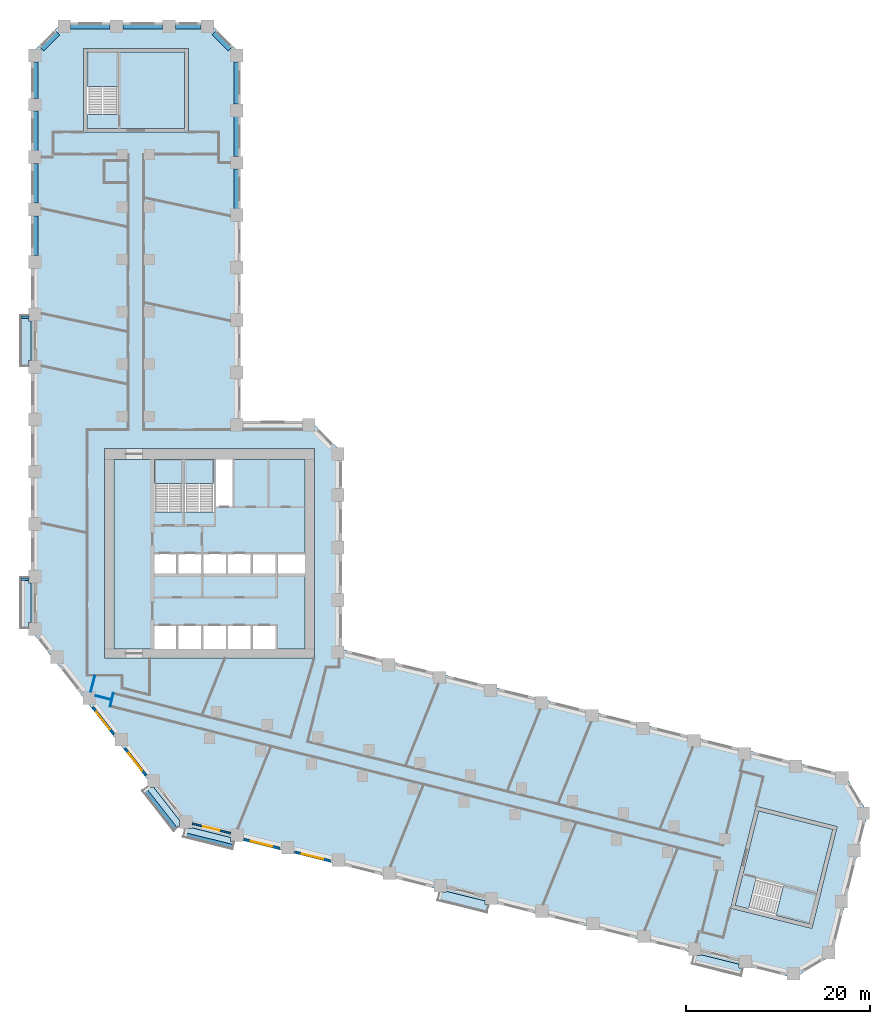
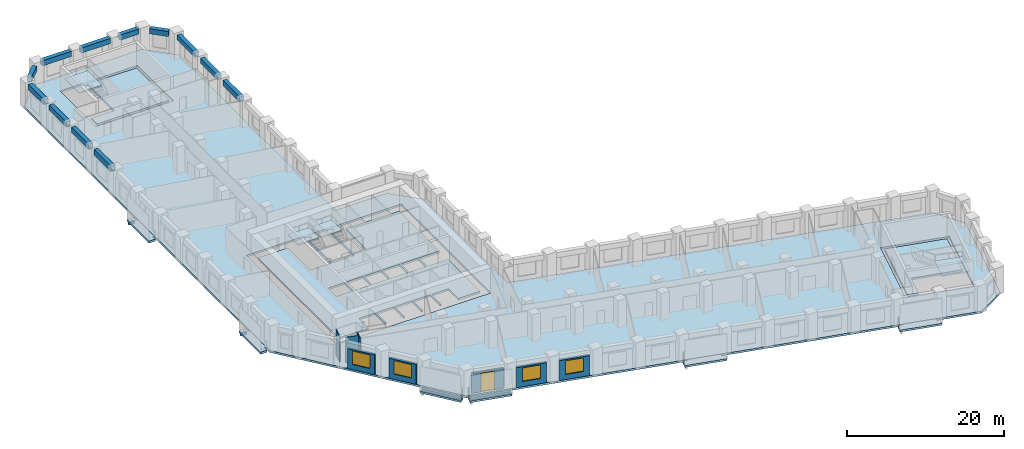
# One storey, part 2 of 11: 14 beams, 14 slabs, 10 walls, 4 windows, 1 door, 5 openings, 4 elements without a shape of their own.
"""IFC4 building model written with IfcOpenShell, lengths in metres."""

from ifc_helpers import new_model, si_unit, direction, frame, frame_2d, origin, origin_2d, place, context, subcontext, project, spatial, polyline, rectangle, outline, extrude, material, layer, layer_set, material_profile, profile_set, type_object, element, fill, aggregate, save


model = new_model("IFC4")

# Units and contexts
model_context = context("Model", 3, precision=1e-05, world=origin(), true_north=direction((0.0, 1.0)))
body_context = subcontext(model_context, "Body", "Model", "MODEL_VIEW")
ifc_project = project(units=[si_unit("LENGTHUNIT", "METRE"), si_unit("AREAUNIT", "SQUARE_METRE"), si_unit("VOLUMEUNIT", "CUBIC_METRE"), si_unit("PLANEANGLEUNIT", "RADIAN"), si_unit("MASSUNIT", "GRAM", prefix="KILO")], contexts=[model_context])

# Site, building, storey
site_placement = place(None, origin())
site = spatial("IfcSite", under=ifc_project, at=site_placement, CompositionType="ELEMENT")
building_placement = place(site_placement, origin())
building = spatial("IfcBuilding", under=site, at=building_placement, Name="Meshkara Civic Tower", CompositionType="ELEMENT")
storey_placement = place(building_placement, frame((0.0, 0.0, 37.199951171875)))
storey = spatial("IfcBuildingStorey", under=building, at=storey_placement, Name="L07", CompositionType="ELEMENT", Elevation=37.199951171875)

# Beams
ifc_material_1 = material(Name="Concrete C50", Category="concrete")
ifc_material_profile_1 = material_profile(ifc_material_1, rectangle(XDim=0.25, YDim=0.39990234375, at=origin_2d()))
ifc_profile_set_1 = profile_set([ifc_material_profile_1], Name="Concrete C50")
beam_type_1 = type_object("IfcBeamType", Name="Balcony bracket beam RC 250x400 C50", PredefinedType="BEAM", material=ifc_profile_set_1)
for number, where, z_axis, x_axis, name in (
    (1, (-0.2451171875, 51.155029296875, -0.5), (-1.0, 0.0, 0.0), (0.0, -1.0, 0.0), "Balcony bracket beam"),
    (2, (-0.2451171875, 22.655029296875, -0.5), (-1.0, 0.0, 0.0), (0.0, -1.0, 0.0), "Balcony bracket beam"),
):
    element("IfcBeam", number, at=place(storey_placement, frame(where, z_axis=z_axis, x_axis=x_axis)), inside=storey, type_object=beam_type_1, Name=name, PredefinedType="BEAM", context=body_context, shape_type="SweptSolid", body=[
        extrude(rectangle(XDim=0.25, YDim=0.39990234375, at=origin_2d()), origin(), (0.0, 0.0, 1.0), 0.85498046875),
    ])
ifc_material_2 = material(Name="Concrete C70", Category="concrete")
ifc_material_profile_2 = material_profile(ifc_material_2, rectangle(XDim=0.60009765625, YDim=0.800048828125, at=origin_2d()))
ifc_profile_set_2 = profile_set([ifc_material_profile_2], Name="Concrete C70")
beam_type_2 = type_object("IfcBeamType", Name="Spandrel beam RC 600x800 C70", PredefinedType="BEAM", material=ifc_profile_set_2)
beam_1_placement = place(storey_placement, frame((22.35009765625, 62.945068359375, 3.5), z_axis=(0.0, 1.0, 0.0), x_axis=(-1.0, 0.0, 0.0)))
element("IfcBeam", 3, at=beam_1_placement, inside=storey, type_object=beam_type_2, Name="Spandrel beam AE04-AE05", PredefinedType="BEAM", context=body_context, shape_type="SweptSolid", body=[
    extrude(rectangle(XDim=0.60009765625, YDim=0.800048828125, at=origin_2d()), origin(), (0.0, 0.0, 1.0), 4.309814453125),
])
beam_2_placement = place(storey_placement, frame((22.35009765625, 68.64501953125, 3.5), z_axis=(0.0, 1.0, 0.0), x_axis=(-1.0, 0.0, 0.0)))
element("IfcBeam", 4, at=beam_2_placement, inside=storey, type_object=beam_type_2, Name="Spandrel beam AE05-AE06", PredefinedType="BEAM", context=body_context, shape_type="SweptSolid", body=[
    extrude(rectangle(XDim=0.60009765625, YDim=0.800048828125, at=origin_2d()), origin(), (0.0, 0.0, 1.0), 4.31005859375),
])
beam_3_placement = place(storey_placement, frame((22.35009765625, 74.344970703125, 3.5), z_axis=(0.0, 1.0, 0.0), x_axis=(-1.0, 0.0, 0.0)))
element("IfcBeam", 5, at=beam_3_placement, inside=storey, type_object=beam_type_2, Name="Spandrel beam AE06-AEE", PredefinedType="BEAM", context=body_context, shape_type="SweptSolid", body=[
    extrude(rectangle(XDim=0.60009765625, YDim=0.800048828125, at=origin_2d()), origin(), (0.0, 0.0, 1.0), 4.573974609375),
])
beam_4_placement = place(storey_placement, frame((21.653564453125, 80.310546875, 3.5), z_axis=(-0.707155737934, 0.70705782105, 0.0), x_axis=(-0.70705782105, -0.707155737934, 0.0)))
element("IfcBeam", 6, at=beam_4_placement, inside=storey, type_object=beam_type_2, Name="Spandrel beam AEE-ATiE", PredefinedType="BEAM", context=body_context, shape_type="SweptSolid", body=[
    extrude(rectangle(XDim=0.60009765625, YDim=0.800048828125, at=origin_2d()), origin(), (0.0, 0.0, 1.0), 2.493408203125),
])
beam_5_placement = place(storey_placement, frame((18.4990234375, 82.77001953125, 3.5), z_axis=(-1.0, 0.0, 0.0), x_axis=(0.0, -1.0, 0.0)))
element("IfcBeam", 7, at=beam_5_placement, inside=storey, type_object=beam_type_2, Name="Spandrel beam AT02-ATiE", PredefinedType="BEAM", context=body_context, shape_type="SweptSolid", body=[
    extrude(rectangle(XDim=0.60009765625, YDim=0.800048828125, at=origin_2d()), origin(), (0.0, 0.0, 1.0), 2.798095703125),
])
for number, where, z_axis, x_axis, name in (
    (8, (14.31103515625, 82.77001953125, 3.5), (-1.0, 0.0, 0.0), (0.0, -1.0, 0.0), "Spandrel beam AT01-AT02"),
    (9, (8.611083984375, 82.77001953125, 3.5), (-1.0, 0.0, 0.0), (0.0, -1.0, 0.0), "Spandrel beam AT00-AT01"),
):
    element("IfcBeam", number, at=place(storey_placement, frame(where, z_axis=z_axis, x_axis=x_axis)), inside=storey, type_object=beam_type_2, Name=name, PredefinedType="BEAM", context=body_context, shape_type="SweptSolid", body=[
        extrude(rectangle(XDim=0.60009765625, YDim=0.800048828125, at=origin_2d()), origin(), (0.0, 0.0, 1.0), 4.31005859375),
    ])
beam_6_placement = place(storey_placement, frame((2.909423828125, 82.073486328125, 3.5), z_axis=(-0.707106781187, -0.707106781187, 0.0), x_axis=(0.707106781187, -0.707106781187, 0.0)))
element("IfcBeam", 10, at=beam_6_placement, inside=storey, type_object=beam_type_2, Name="Spandrel beam AT00-ATo00", PredefinedType="BEAM", context=body_context, shape_type="SweptSolid", body=[
    extrude(rectangle(XDim=0.60009765625, YDim=0.800048828125, at=origin_2d()), origin(), (0.0, 0.0, 1.0), 2.4931640625),
])
beam_7_placement = place(storey_placement, frame((0.449951171875, 78.9189453125, 3.5), z_axis=(0.0, -1.0, 0.0), x_axis=(1.0, 0.0, 0.0)))
element("IfcBeam", 11, at=beam_7_placement, inside=storey, type_object=beam_type_2, Name="Spandrel beam ATo00-AW10", PredefinedType="BEAM", context=body_context, shape_type="SweptSolid", body=[
    extrude(rectangle(XDim=0.60009765625, YDim=0.800048828125, at=origin_2d()), origin(), (0.0, 0.0, 1.0), 3.968994140625),
])
for number, where, z_axis, x_axis, name in (
    (12, (0.449951171875, 73.56005859375, 3.5), (0.0, -1.0, 0.0), (1.0, 0.0, 0.0), "Spandrel beam AW09-AW10"),
    (13, (0.449951171875, 67.860107421875, 3.5), (0.0, -1.0, 0.0), (1.0, 0.0, 0.0), "Spandrel beam AW08-AW09"),
):
    element("IfcBeam", number, at=place(storey_placement, frame(where, z_axis=z_axis, x_axis=x_axis)), inside=storey, type_object=beam_type_2, Name=name, PredefinedType="BEAM", context=body_context, shape_type="SweptSolid", body=[
        extrude(rectangle(XDim=0.60009765625, YDim=0.800048828125, at=origin_2d()), origin(), (0.0, 0.0, 1.0), 4.31005859375),
    ])
beam_8_placement = place(storey_placement, frame((0.449951171875, 62.159912109375, 3.5), z_axis=(0.0, -1.0, 0.0), x_axis=(1.0, 0.0, 0.0)))
element("IfcBeam", 14, at=beam_8_placement, inside=storey, type_object=beam_type_2, Name="Spandrel beam AW07-AW08", PredefinedType="BEAM", context=body_context, shape_type="SweptSolid", body=[
    extrude(rectangle(XDim=0.60009765625, YDim=0.800048828125, at=origin_2d()), origin(), (0.0, 0.0, 1.0), 4.309814453125),
])

# Slabs
ifc_material_3 = material(Name="Concrete C40", Category="concrete")
ifc_layer_1 = layer(ifc_material_3, 0.300048828125)
ifc_layer_set_1 = layer_set([ifc_layer_1], Name="BALCONY SLAB")
slab_type_1 = type_object("IfcSlabType", Name="BALCONY SLAB", PredefinedType="FLOOR", material=ifc_layer_set_1)
slab_1_placement = place(storey_placement, frame((0.0, 0.0, -0.300048828125)))
element("IfcSlab", 15, at=slab_1_placement, inside=storey, type_object=slab_type_1, Name="Balcony slab", PredefinedType="FLOOR", context=body_context, shape_type="SweptSolid", body=[
    extrude(outline(polyline([(-1.199951171875, 45.81494140625), (-1.199951171875, 51.39501953125), (-0.25, 51.39501953125), (-0.25, 50.7548828125), (0.0, 50.7548828125), (0.0, 46.455078125), (-0.25, 46.455078125), (-0.25, 45.81494140625), (-1.199951171875, 45.81494140625)])), origin(), (0.0, 0.0, 1.0), 0.300048828125),
])
slab_2_placement = place(storey_placement, frame((0.0, 0.0, -0.300048828125)))
element("IfcSlab", 16, at=slab_2_placement, inside=storey, type_object=slab_type_1, Name="Balcony slab", PredefinedType="FLOOR", context=body_context, shape_type="SweptSolid", body=[
    extrude(outline(polyline([(-1.199951171875, 17.31494140625), (-1.199951171875, 22.89501953125), (-0.25, 22.89501953125), (-0.25, 22.2548828125), (0.0, 22.2548828125), (0.0, 17.955078125), (-0.25, 17.955078125), (-0.25, 17.31494140625), (-1.199951171875, 17.31494140625)])), origin(), (0.0, 0.0, 1.0), 0.300048828125),
])
slab_3_placement = place(storey_placement, frame((0.0, 0.0, -0.300048828125)))
element("IfcSlab", 17, at=slab_3_placement, inside=storey, type_object=slab_type_1, Name="Balcony slab", PredefinedType="FLOOR", context=body_context, shape_type="SweptSolid", body=[
    extrude(outline(polyline([(15.513916015625, -4.7060546875), (12.0791015625, -0.30908203125), (12.64208984375, 0.131103515625), (12.64208984375, 0.053955078125), (13.318115234375, 0.053955078125), (16.15087890625, -3.572998046875), (16.15087890625, -4.208984375), (15.513916015625, -4.7060546875)])), origin(), (0.0, 0.0, 1.0), 0.300048828125),
])
slab_4_placement = place(storey_placement, frame((0.0, 0.0, -0.300048828125)))
element("IfcSlab", 18, at=slab_4_placement, inside=storey, type_object=slab_type_1, Name="Balcony slab", PredefinedType="FLOOR", context=body_context, shape_type="SweptSolid", body=[
    extrude(outline(polyline([(21.925048828125, -6.702880859375), (16.510009765625, -5.35302734375), (16.738037109375, -4.43798828125), (17.551025390625, -4.43798828125), (17.551025390625, -4.3759765625), (21.681884765625, -5.406005859375), (21.681884765625, -5.81689453125), (22.14599609375, -5.81689453125), (21.925048828125, -6.702880859375)])), origin(), (0.0, 0.0, 1.0), 0.300048828125),
])
slab_5_placement = place(storey_placement, frame((0.0, 0.0, -0.300048828125)))
element("IfcSlab", 19, at=slab_5_placement, inside=storey, type_object=slab_type_1, Name="Balcony slab", PredefinedType="FLOOR", context=body_context, shape_type="SweptSolid", body=[
    extrude(outline(polyline([(49.577880859375, -13.597900390625), (44.1640625, -12.248046875), (44.39208984375, -11.33203125), (45.205078125, -11.33203125), (45.205078125, -11.27099609375), (49.3349609375, -12.301025390625), (49.3349609375, -12.7109375), (49.799072265625, -12.7109375), (49.577880859375, -13.597900390625)])), origin(), (0.0, 0.0, 1.0), 0.300048828125),
])
slab_6_placement = place(storey_placement, frame((0.0, 0.0, -0.300048828125)))
element("IfcSlab", 20, at=slab_6_placement, inside=storey, type_object=slab_type_1, Name="Balcony slab", PredefinedType="FLOOR", context=body_context, shape_type="SweptSolid", body=[
    extrude(outline(polyline([(77.23193359375, -20.492919921875), (71.81689453125, -19.14306640625), (72.044921875, -18.22705078125), (72.85791015625, -18.22705078125), (72.85791015625, -18.1650390625), (76.989013671875, -19.195068359375), (76.989013671875, -19.60595703125), (77.452880859375, -19.60595703125), (77.23193359375, -20.492919921875)])), origin(), (0.0, 0.0, 1.0), 0.300048828125),
])
ifc_material_4 = material(Name="Concrete C40/50", Category="concrete")
ifc_layer_2 = layer(ifc_material_4, 0.300048828125)
ifc_layer_set_2 = layer_set([ifc_layer_2], Name="Core floor slab 300 C40/50")
slab_type_2 = type_object("IfcSlabType", Name="Core floor slab 300 C40/50", PredefinedType="FLOOR", material=ifc_layer_set_2)
slab_7_placement = place(storey_placement, frame((0.0, 0.0, -0.300048828125)))
element("IfcSlab", 21, at=slab_7_placement, inside=storey, type_object=slab_type_2, Name="Core floor K", PredefinedType="FLOOR", context=body_context, shape_type="SweptSolid", body=[
    extrude(outline(polyline([(9.0, 35.699951171875), (13.39990234375, 35.699951171875), (13.39990234375, 30.00146484375), (16.5, 30.00146484375), (16.5, 35.699951171875), (16.699951171875, 35.699951171875), (16.699951171875, 30.00146484375), (19.89990234375, 30.00146484375), (19.89990234375, 35.699951171875), (20.10009765625, 35.699951171875), (20.10009765625, 30.574951171875), (21.925048828125, 30.574951171875), (21.925048828125, 35.699951171875), (29.800048828125, 35.699951171875), (29.800048828125, 25.39990234375), (26.800048828125, 25.39990234375), (26.800048828125, 23.300048828125), (29.800048828125, 23.300048828125), (29.800048828125, 15.10009765625), (26.60009765625, 15.10009765625), (26.60009765625, 17.60009765625), (24.10009765625, 17.60009765625), (24.10009765625, 15.10009765625), (23.89990234375, 15.10009765625), (23.89990234375, 17.60009765625), (21.39990234375, 17.60009765625), (21.39990234375, 15.10009765625), (21.199951171875, 15.10009765625), (21.199951171875, 17.60009765625), (18.699951171875, 17.60009765625), (18.699951171875, 15.10009765625), (18.5, 15.10009765625), (18.5, 17.60009765625), (16.0, 17.60009765625), (16.0, 15.10009765625), (15.800048828125, 15.10009765625), (15.800048828125, 17.60009765625), (13.39990234375, 17.60009765625), (13.39990234375, 15.10009765625), (9.0, 15.10009765625), (9.0, 35.699951171875)]), holes=[polyline([(13.39990234375, 25.39990234375), (13.39990234375, 23.300048828125), (15.800048828125, 23.300048828125), (15.800048828125, 25.39990234375), (13.39990234375, 25.39990234375)]), polyline([(18.5, 23.300048828125), (18.5, 25.39990234375), (16.0, 25.39990234375), (16.0, 23.300048828125), (18.5, 23.300048828125)]), polyline([(18.699951171875, 25.39990234375), (18.699951171875, 23.300048828125), (21.199951171875, 23.300048828125), (21.199951171875, 25.39990234375), (18.699951171875, 25.39990234375)]), polyline([(23.89990234375, 23.300048828125), (23.89990234375, 25.39990234375), (21.39990234375, 25.39990234375), (21.39990234375, 23.300048828125), (23.89990234375, 23.300048828125)]), polyline([(26.60009765625, 23.300048828125), (26.60009765625, 25.39990234375), (24.10009765625, 25.39990234375), (24.10009765625, 23.300048828125), (26.60009765625, 23.300048828125)])]), origin(), (0.0, 0.0, 1.0), 0.300048828125),
])
slab_8_placement = place(storey_placement, frame((0.0, 0.0, -0.300048828125)))
element("IfcSlab", 22, at=slab_8_placement, inside=storey, type_object=slab_type_2, Name="Core floor EA", PredefinedType="FLOOR", context=body_context, shape_type="SweptSolid", body=[
    extrude(outline(polyline([(16.699951171875, 71.669921875), (16.699951171875, 79.969970703125), (9.5, 79.969970703125), (9.5, 73.17138671875), (6.10009765625, 73.17138671875), (6.10009765625, 71.669921875), (16.699951171875, 71.669921875)])), origin(), (0.0, 0.0, 1.0), 0.300048828125),
])
slab_9_placement = place(storey_placement, frame((0.0, 0.0, -0.300048828125)))
element("IfcSlab", 23, at=slab_9_placement, inside=storey, type_object=slab_type_2, Name="Core floor EB", PredefinedType="FLOOR", context=body_context, shape_type="SweptSolid", body=[
    extrude(outline(polyline([(79.11181640625, -2.513671875), (87.165283203125, -4.521484375), (85.423583984375, -11.507568359375), (78.826904296875, -9.863037109375), (78.00439453125, -13.161865234375), (76.547607421875, -12.798583984375), (79.11181640625, -2.513671875)])), origin(), (0.0, 0.0, 1.0), 0.300048828125),
])

# Stair, slab
ifc_material_5 = material(Name="Precast concrete C40/50", Category="concrete")
stair_type_1 = type_object("IfcStairType", Name="Exit stair half-turn 24 risers precast", PredefinedType="HALF_TURN_STAIR", material=ifc_material_5)
stair_1_placement = place(storey_placement, origin())
stair_1 = element("IfcStair", 24, at=stair_1_placement, inside=storey, type_object=stair_type_1, Name="L07 exit stair 1", PredefinedType="HALF_TURN_STAIR")
ifc_material_6 = material(Name="Precast concrete C40/50", Category="concrete")
ifc_layer_3 = layer(ifc_material_6, 0.199951171875)
ifc_layer_set_3 = layer_set([ifc_layer_3], Name="Exit stair landing 200")
slab_type_3 = type_object("IfcSlabType", Name="Exit stair landing 200", PredefinedType="LANDING", material=ifc_layer_set_3)
slab_10_placement = place(storey_placement, frame((0.0, 0.0, 1.900146484375)))
slab_10 = element("IfcSlab", 25, at=slab_10_placement, type_object=slab_type_3, Name="ST1 landing 1", PredefinedType="LANDING", context=body_context, shape_type="SweptSolid", body=[
    extrude(outline(polyline([(16.5, 33.07861328125), (16.5, 35.699951171875), (13.39990234375, 35.699951171875), (13.39990234375, 33.07861328125), (16.5, 33.07861328125)])), origin(), (0.0, 0.0, 1.0), 0.199951171875),
])
aggregate(stair_1, [slab_10])

stair_2_placement = place(storey_placement, origin())
stair_2 = element("IfcStair", 26, at=stair_2_placement, inside=storey, type_object=stair_type_1, Name="L07 exit stair 2", PredefinedType="HALF_TURN_STAIR")
slab_11_placement = place(storey_placement, frame((0.0, 0.0, 1.900146484375)))
slab_11 = element("IfcSlab", 27, at=slab_11_placement, type_object=slab_type_3, Name="ST2 landing 1", PredefinedType="LANDING", context=body_context, shape_type="SweptSolid", body=[
    extrude(outline(polyline([(19.89990234375, 33.07861328125), (19.89990234375, 35.699951171875), (16.699951171875, 35.699951171875), (16.699951171875, 33.07861328125), (19.89990234375, 33.07861328125)])), origin(), (0.0, 0.0, 1.0), 0.199951171875),
])
aggregate(stair_2, [slab_11])

ifc_material_7 = material(Name="Precast concrete C40/50", Category="concrete")
stair_type_2 = type_object("IfcStairType", Name="Exit stair half-turn 24 risers 1500 precast", PredefinedType="HALF_TURN_STAIR", material=ifc_material_7)
stair_3_placement = place(storey_placement, origin())
stair_3 = element("IfcStair", 28, at=stair_3_placement, inside=storey, type_object=stair_type_2, Name="L07 exit stair A from B2", PredefinedType="HALF_TURN_STAIR")
slab_12_placement = place(storey_placement, frame((0.0, 0.0, 1.900146484375)))
slab_12 = element("IfcSlab", 29, at=slab_12_placement, type_object=slab_type_3, Name="ESA1 landing 1", PredefinedType="LANDING", context=body_context, shape_type="SweptSolid", body=[
    extrude(outline(polyline([(9.5, 76.24853515625), (9.5, 79.969970703125), (6.10009765625, 79.969970703125), (6.10009765625, 76.24853515625), (9.5, 76.24853515625)])), origin(), (0.0, 0.0, 1.0), 0.199951171875),
])
aggregate(stair_3, [slab_12])

stair_4_placement = place(storey_placement, origin())
stair_4 = element("IfcStair", 30, at=stair_4_placement, inside=storey, type_object=stair_type_2, Name="L07 exit stair B from B2", PredefinedType="HALF_TURN_STAIR")
slab_13_placement = place(storey_placement, frame((0.0, 0.0, 1.900146484375)))
slab_13 = element("IfcSlab", 31, at=slab_13_placement, type_object=slab_type_3, Name="ESB1 landing 1", PredefinedType="LANDING", context=body_context, shape_type="SweptSolid", body=[
    extrude(outline(polyline([(80.98974609375, -13.9072265625), (84.600830078125, -14.80810546875), (85.424072265625, -11.50830078125), (81.81298828125, -10.607421875), (80.98974609375, -13.9072265625)])), origin(), (0.0, 0.0, 1.0), 0.199951171875),
])
aggregate(stair_4, [slab_13])

# Slab
ifc_material_8 = material(Name="Concrete C50", Category="concrete")
ifc_layer_4 = layer(ifc_material_8, 0.300048828125)
ifc_layer_set_4 = layer_set([ifc_layer_4], Name="Post-tensioned flat slab 300 C50")
slab_type_4 = type_object("IfcSlabType", Name="Post-tensioned flat slab 300 C50", PredefinedType="FLOOR", material=ifc_layer_set_4)
slab_14_placement = place(storey_placement, frame((0.0, 0.0, -0.300048828125)))
element("IfcSlab", 32, at=slab_14_placement, inside=storey, type_object=slab_type_4, Name="Post-tensioned flat slab L07", PredefinedType="FLOOR", context=body_context, shape_type="SweptSolid", body=[
    extrude(outline(polyline([(87.10595703125, -18.193115234375), (82.9599609375, -20.68408203125), (16.592041015625, -4.136962890625), (0.0, 17.10009765625), (0.0, 79.800048828125), (3.419921875, 83.219970703125), (19.3798828125, 83.219970703125), (22.800048828125, 79.800048828125), (22.800048828125, 39.89990234375), (30.3798828125, 39.89990234375), (33.800048828125, 36.47998046875), (33.800048828125, 15.071044921875), (88.47607421875, 1.43798828125), (90.967041015625, -2.70703125), (87.10595703125, -18.193115234375)]), holes=[polyline([(84.89208984375, -15.2919921875), (87.64990234375, -4.22998046875), (78.821044921875, -2.029052734375), (76.06298828125, -13.090087890625), (84.89208984375, -15.2919921875)]), polyline([(8.0, 14.10009765625), (30.800048828125, 14.10009765625), (30.800048828125, 36.89990234375), (8.0, 36.89990234375), (8.0, 14.10009765625)]), polyline([(5.699951171875, 80.3701171875), (5.699951171875, 71.27001953125), (17.10009765625, 71.27001953125), (17.10009765625, 80.3701171875), (5.699951171875, 80.3701171875)])]), origin(), (0.0, 0.0, 1.0), 0.300048828125),
])

# Wall
ifc_material_9 = material(Name="Corridor wall 100")
ifc_layer_5 = layer(ifc_material_9, 0.10009765625)
ifc_layer_set_5 = layer_set([ifc_layer_5], Name="Corridor wall 100")
wall_type_1 = type_object("IfcWallType", Name="Corridor wall 100", PredefinedType="PARTITIONING", material=ifc_layer_set_5)
wall_1_placement = place(storey_placement, frame((8.944091796875, 10.263916015625, 0.0), z_axis=(0.0, 0.0, 1.0), x_axis=(-0.242297077633, -0.970202105837, 0.0)))
element("IfcWall", 33, at=wall_1_placement, inside=storey, type_object=wall_type_1, Name="L07-W008", PredefinedType="PARTITIONING", context=body_context, shape_type="SweptSolid", body=[
    extrude(rectangle(XDim=1.44482421875, YDim=0.10009765625, at=frame_2d((0.722412109375, 0.0))), origin(), (0.0, 0.0, 1.0), 3.900146484375),
])

# Wall, opening, window
ifc_material_10 = material(Name="Insulated infill panel with bronze anodised aluminium cladding", Category="aluminium")
ifc_layer_6 = layer(ifc_material_10, 0.300048828125)
ifc_layer_set_6 = layer_set([ifc_layer_6], Name="EXTERNAL INFILL WALL 300")
wall_type_2 = type_object("IfcWallType", Name="EXTERNAL INFILL WALL 300", PredefinedType="SOLIDWALL", material=ifc_layer_set_6)
wall_2_placement = place(storey_placement, frame((6.69189453125, 8.778076171875, 0.0), z_axis=(0.0, 0.0, 1.0), x_axis=(0.615767067156, -0.787928244833, 0.0)))
wall_2 = element("IfcWall", 34, at=wall_2_placement, inside=storey, type_object=wall_type_2, Name="External wall", PredefinedType="SOLIDWALL", context=body_context, shape_type="SweptSolid", body=[
    extrude(rectangle(XDim=3.7353515625, YDim=0.300048828125, at=frame_2d((1.86767578125, 0.0))), origin(), (0.0, 0.0, 1.0), 3.10009765625),
])
opening_1_placement = place(wall_2_placement, frame((0.66796875, 0.0, 0.800048828125)))
opening_1 = element("IfcOpeningElement", 35, at=opening_1_placement, cuts=wall_2, Name="Opening W7", PredefinedType="OPENING", context=body_context, shape_type="SweptSolid", body=[
    extrude(rectangle(XDim=2.39990234375, YDim=2.10009765625, at=frame_2d((1.199951171875, 1.050048828125))), frame((0.0, 0.159912109375, 0.0), z_axis=(0.0, -1.0, 0.0), x_axis=(1.0, 0.0, 0.0)), (0.0, 0.0, 1.0), 0.320068359375),
])
ifc_material_11 = material(Name="Tinted double glazing", Category="glass")
window_type = type_object("IfcWindowType", Name="WINDOW 2400x2100", PartitioningType="DOUBLE_PANEL_VERTICAL", PredefinedType="WINDOW", material=ifc_material_11)
window_1_placement = place(opening_1_placement, origin())
window_1 = element("IfcWindow", 36, at=window_1_placement, inside=storey, type_object=window_type, Name="Window", OverallHeight=2.10009765625, OverallWidth=2.39990234375, PartitioningType="DOUBLE_PANEL_VERTICAL", PredefinedType="WINDOW", context=body_context, shape_type="SweptSolid", body=[
    extrude(rectangle(XDim=2.39990234375, YDim=2.10009765625, at=frame_2d((1.199951171875, 1.050048828125))), frame((0.0, 0.030029296875, 0.0), z_axis=(0.0, -1.0, 0.0), x_axis=(1.0, 0.0, 0.0)), (0.0, 0.0, 1.0), 0.06005859375),
])
fill(opening_1, window_1)

wall_3_placement = place(storey_placement, frame((10.201904296875, 4.285888671875, 0.0), z_axis=(0.0, 0.0, 1.0), x_axis=(0.615636430057, -0.788030320474, 0.0)))
wall_3 = element("IfcWall", 37, at=wall_3_placement, inside=storey, type_object=wall_type_2, Name="External wall", PredefinedType="SOLIDWALL", context=body_context, shape_type="SweptSolid", body=[
    extrude(rectangle(XDim=3.734375, YDim=0.300048828125, at=frame_2d((1.8671875, 0.0))), origin(), (0.0, 0.0, 1.0), 3.10009765625),
])
opening_2_placement = place(wall_3_placement, frame((0.6669921875, 0.0, 0.800048828125)))
opening_2 = element("IfcOpeningElement", 38, at=opening_2_placement, cuts=wall_3, Name="Opening W7", PredefinedType="OPENING", context=body_context, shape_type="SweptSolid", body=[
    extrude(rectangle(XDim=2.39990234375, YDim=2.10009765625, at=frame_2d((1.199951171875, 1.050048828125))), frame((0.0, 0.159912109375, 0.0), z_axis=(0.0, -1.0, 0.0), x_axis=(1.0, 0.0, 0.0)), (0.0, 0.0, 1.0), 0.320068359375),
])
window_2_placement = place(opening_2_placement, origin())
window_2 = element("IfcWindow", 39, at=window_2_placement, inside=storey, type_object=window_type, Name="Window", OverallHeight=2.10009765625, OverallWidth=2.39990234375, PartitioningType="DOUBLE_PANEL_VERTICAL", PredefinedType="WINDOW", context=body_context, shape_type="SweptSolid", body=[
    extrude(rectangle(XDim=2.39990234375, YDim=2.10009765625, at=frame_2d((1.199951171875, 1.050048828125))), frame((0.0, 0.030029296875, 0.0), z_axis=(0.0, -1.0, 0.0), x_axis=(1.0, 0.0, 0.0)), (0.0, 0.0, 1.0), 0.06005859375),
])
fill(opening_2, window_2)

wall_4_placement = place(storey_placement, frame((23.133056640625, -5.613037109375, 0.0), z_axis=(0.0, 0.0, 1.0), x_axis=(0.970303772127, -0.241889623168, 0.0)))
wall_4 = element("IfcWall", 40, at=wall_4_placement, inside=storey, type_object=wall_type_2, Name="External wall", PredefinedType="SOLIDWALL", context=body_context, shape_type="SweptSolid", body=[
    extrude(rectangle(XDim=4.001953125, YDim=0.300048828125, at=frame_2d((2.0009765625, 0.0))), origin(), (0.0, 0.0, 1.0), 3.10009765625),
])
opening_3_placement = place(wall_4_placement, frame((0.801025390625, 0.0, 0.800048828125)))
opening_3 = element("IfcOpeningElement", 41, at=opening_3_placement, cuts=wall_4, Name="Opening W7", PredefinedType="OPENING", context=body_context, shape_type="SweptSolid", body=[
    extrude(rectangle(XDim=2.39990234375, YDim=2.10009765625, at=frame_2d((1.199951171875, 1.050048828125))), frame((0.0, 0.159912109375, 0.0), z_axis=(0.0, -1.0, 0.0), x_axis=(1.0, 0.0, 0.0)), (0.0, 0.0, 1.0), 0.320068359375),
])
window_3_placement = place(opening_3_placement, origin())
window_3 = element("IfcWindow", 42, at=window_3_placement, inside=storey, type_object=window_type, Name="Window", OverallHeight=2.10009765625, OverallWidth=2.39990234375, PartitioningType="DOUBLE_PANEL_VERTICAL", PredefinedType="WINDOW", context=body_context, shape_type="SweptSolid", body=[
    extrude(rectangle(XDim=2.39990234375, YDim=2.10009765625, at=frame_2d((1.199951171875, 1.050048828125))), frame((0.0, 0.030029296875, 0.0), z_axis=(0.0, -1.0, 0.0), x_axis=(1.0, 0.0, 0.0)), (0.0, 0.0, 1.0), 0.06005859375),
])
fill(opening_3, window_3)

wall_5_placement = place(storey_placement, frame((28.6630859375, -6.991943359375, 0.0), z_axis=(0.0, 0.0, 1.0), x_axis=(0.970318045095, -0.24183236211, 0.0)))
wall_5 = element("IfcWall", 43, at=wall_5_placement, inside=storey, type_object=wall_type_2, Name="External wall", PredefinedType="SOLIDWALL", context=body_context, shape_type="SweptSolid", body=[
    extrude(rectangle(XDim=4.0029296875, YDim=0.300048828125, at=frame_2d((2.00146484375, 0.0))), origin(), (0.0, 0.0, 1.0), 3.10009765625),
])
opening_4_placement = place(wall_5_placement, frame((0.802001953125, 0.0, 0.800048828125)))
opening_4 = element("IfcOpeningElement", 44, at=opening_4_placement, cuts=wall_5, Name="Opening W7", PredefinedType="OPENING", context=body_context, shape_type="SweptSolid", body=[
    extrude(rectangle(XDim=2.39990234375, YDim=2.10009765625, at=frame_2d((1.199951171875, 1.050048828125))), frame((0.0, 0.159912109375, 0.0), z_axis=(0.0, -1.0, 0.0), x_axis=(1.0, 0.0, 0.0)), (0.0, 0.0, 1.0), 0.320068359375),
])
window_4_placement = place(opening_4_placement, origin())
window_4 = element("IfcWindow", 45, at=window_4_placement, inside=storey, type_object=window_type, Name="Window", OverallHeight=2.10009765625, OverallWidth=2.39990234375, PartitioningType="DOUBLE_PANEL_VERTICAL", PredefinedType="WINDOW", context=body_context, shape_type="SweptSolid", body=[
    extrude(rectangle(XDim=2.39990234375, YDim=2.10009765625, at=frame_2d((1.199951171875, 1.050048828125))), frame((0.0, 0.030029296875, 0.0), z_axis=(0.0, -1.0, 0.0), x_axis=(1.0, 0.0, 0.0)), (0.0, 0.0, 1.0), 0.06005859375),
])
fill(opening_4, window_4)

# Wall, opening, door
ifc_material_12 = material(Name="Insulated infill panel with bronze anodised aluminium cladding", Category="aluminium")
ifc_layer_7 = layer(ifc_material_12, 0.199951171875)
ifc_layer_set_7 = layer_set([ifc_layer_7], Name="LOGGIA BACK WALL 200")
wall_type_3 = type_object("IfcWallType", Name="LOGGIA BACK WALL 200", PredefinedType="SOLIDWALL", material=ifc_layer_set_7)
wall_6_placement = place(storey_placement, frame((17.551025390625, -3.912109375, 0.0), z_axis=(0.0, 0.0, 1.0), x_axis=(0.970304203713, -0.241887891919, 0.0)))
wall_6 = element("IfcWall", 46, at=wall_6_placement, inside=storey, type_object=wall_type_3, Name="Loggia wall", PredefinedType="SOLIDWALL", context=body_context, shape_type="SweptSolid", body=[
    extrude(rectangle(XDim=4.25732421875, YDim=0.199951171875, at=frame_2d((2.128662109375, 0.0))), origin(), (0.0, 0.0, 1.0), 3.10009765625),
])
opening_5_placement = place(wall_6_placement, frame((1.22802734375, 0.0, 0.0)))
opening_5 = element("IfcOpeningElement", 47, at=opening_5_placement, cuts=wall_6, Name="Opening L07-L004", PredefinedType="OPENING", context=body_context, shape_type="SweptSolid", body=[
    extrude(rectangle(XDim=1.800048828125, YDim=2.89990234375, at=frame_2d((0.89990234375, 1.449951171875))), frame((0.0, 0.10986328125, 0.0), z_axis=(0.0, -1.0, 0.0), x_axis=(1.0, 0.0, 0.0)), (0.0, 0.0, 1.0), 0.219970703125),
])
ifc_material_13 = material(Name="Tinted double glazing", Category="glass")
door_type = type_object("IfcDoorType", Name="LOGGIA DOOR 1800x2900", OperationType="DOUBLE_DOOR_SINGLE_SWING", PredefinedType="DOOR", material=ifc_material_13)
door_placement = place(opening_5_placement, origin())
door = element("IfcDoor", 48, at=door_placement, inside=storey, type_object=door_type, Name="L07-L004", OperationType="DOUBLE_DOOR_SINGLE_SWING", OverallHeight=2.89990234375, OverallWidth=1.800048828125, PredefinedType="DOOR", context=body_context, shape_type="SweptSolid", body=[
    extrude(rectangle(XDim=1.800048828125, YDim=2.89990234375, at=frame_2d((0.89990234375, 1.449951171875))), frame((0.0, 0.02490234375, 0.0), z_axis=(0.0, -1.0, 0.0), x_axis=(1.0, 0.0, 0.0)), (0.0, 0.0, 1.0), 0.050048828125),
])
fill(opening_5, door)

# Walls
ifc_material_14 = material(Name="Concrete C40", Category="concrete")
ifc_layer_8 = layer(ifc_material_14, 0.39990234375)
ifc_layer_set_8 = layer_set([ifc_layer_8], Name="PLANTER TRAY")
wall_type_4 = type_object("IfcWallType", Name="PLANTER TRAY", PredefinedType="SOLIDWALL", material=ifc_layer_set_8)
wall_7_placement = place(storey_placement, frame((12.39794921875, -0.198974609375, 0.0), z_axis=(0.0, 0.0, 1.0), x_axis=(0.615638738903, -0.788028516719, 0.0)))
element("IfcWall", 49, at=wall_7_placement, inside=storey, type_object=wall_type_4, Name="Planter", PredefinedType="SOLIDWALL", context=body_context, shape_type="SweptSolid", body=[
    extrude(rectangle(XDim=5.3603515625, YDim=0.39990234375, at=frame_2d((2.68017578125, 0.0))), origin(), (0.0, 0.0, 1.0), 0.300048828125),
])
wall_8_placement = place(storey_placement, frame((16.694091796875, -5.069091796875, 0.0), z_axis=(0.0, 0.0, 1.0), x_axis=(0.970289679319, -0.241946147329, 0.0)))
element("IfcWall", 50, at=wall_8_placement, inside=storey, type_object=wall_type_4, Name="Planter", PredefinedType="SOLIDWALL", context=body_context, shape_type="SweptSolid", body=[
    extrude(rectangle(XDim=5.360107421875, YDim=0.39990234375, at=frame_2d((2.68017578125, 0.0))), origin(), (0.0, 0.0, 1.0), 0.300048828125),
])
ifc_material_15 = material(Name="Partition 100")
ifc_layer_9 = layer(ifc_material_15, 0.10009765625)
ifc_layer_set_9 = layer_set([ifc_layer_9], Name="Partition 100")
wall_type_5 = type_object("IfcWallType", Name="Partition 100", PredefinedType="PARTITIONING", material=ifc_layer_set_9)
wall_9_placement = place(storey_placement, frame((6.922119140625, 12.137939453125, 0.0), z_axis=(0.0, 0.0, 1.0), x_axis=(-0.242437328426, -0.970167069007, 0.0)))
element("IfcWall", 51, at=wall_9_placement, inside=storey, type_object=wall_type_5, Name="L07-W034", PredefinedType="PARTITIONING", context=body_context, shape_type="SweptSolid", body=[
    extrude(rectangle(XDim=1.753173828125, YDim=0.10009765625, at=frame_2d((0.87646484375, 0.0))), origin(), (0.0, 0.0, 1.0), 3.900146484375),
])
wall_10_placement = place(storey_placement, frame((8.719970703125, 9.573974609375, 0.0), z_axis=(0.0, 0.0, 1.0), x_axis=(-0.97016712555, 0.242437102155, 0.0)))
element("IfcWall", 52, at=wall_10_placement, inside=storey, type_object=wall_type_5, Name="L07-W037", PredefinedType="PARTITIONING", context=body_context, shape_type="SweptSolid", body=[
    extrude(rectangle(XDim=1.749267578125, YDim=0.10009765625, at=frame_2d((0.87451171875, 0.0))), origin(), (0.0, 0.0, 1.0), 3.900146484375),
])

save(model, "model.ifc")
